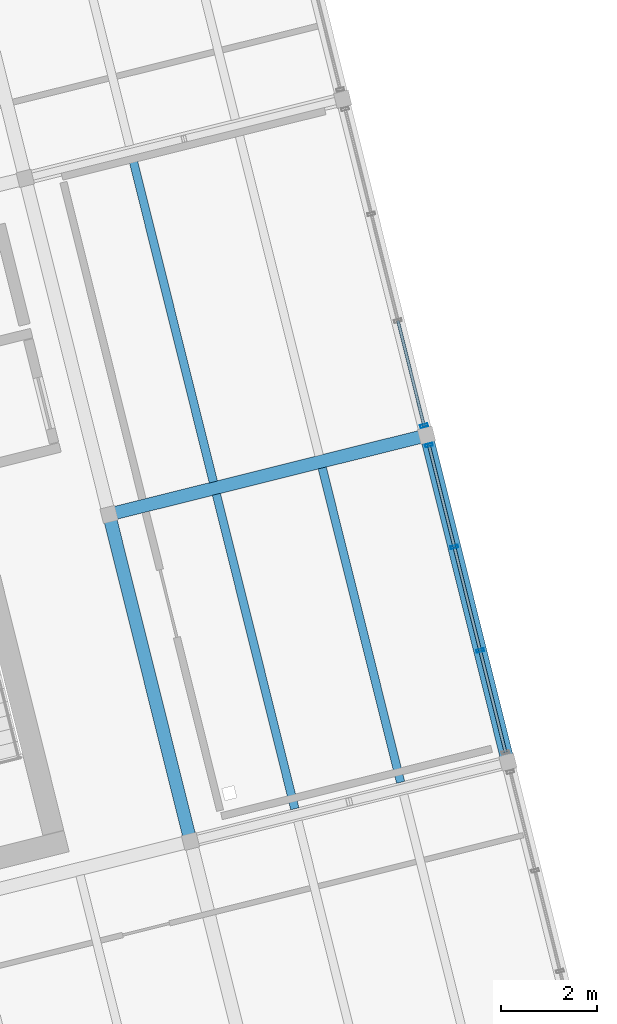
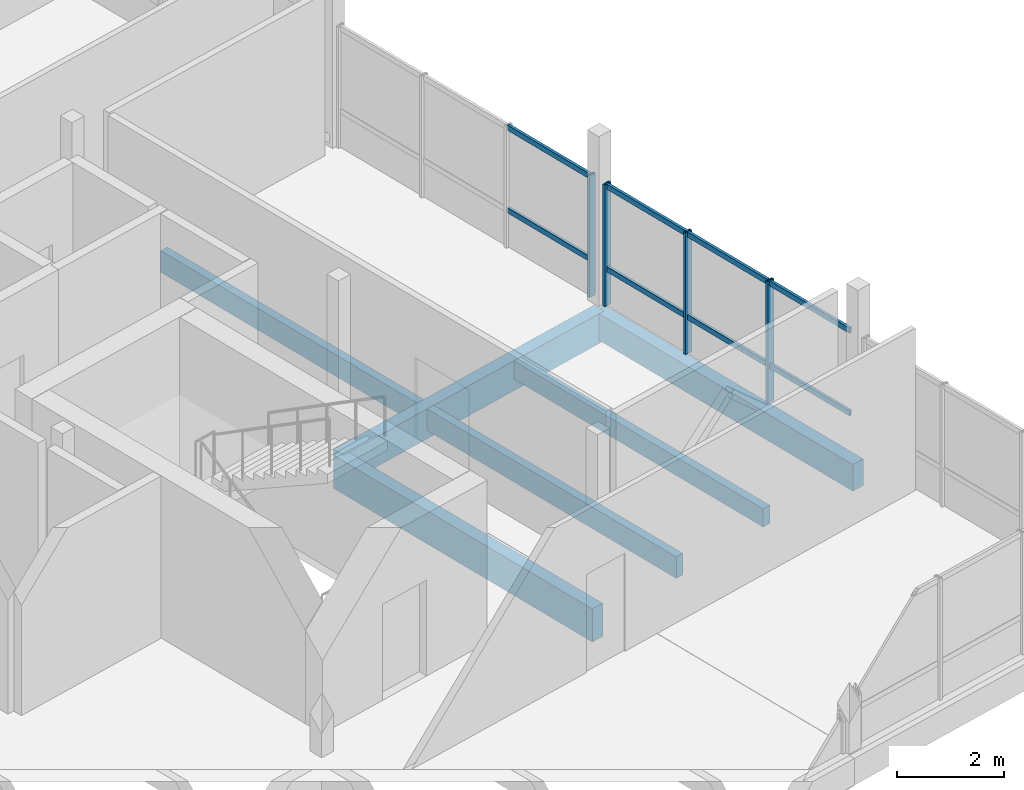
# One storey, part 17 of 25: 12 members, 6 beams, 2 elements without a shape of their own.
"""IFC4 building model written with IfcOpenShell, lengths in metres."""

from ifc_helpers import new_model, si_unit, direction, frame, origin, origin_2d, place, context, subcontext, project, spatial, rectangle, hollow_rectangle, extrude, material, layer, layer_set, material_profile, profile_set, type_object, element, aggregate, save


model = new_model("IFC4")

# Units and contexts
model_context = context("Model", 3, precision=1e-05, world=origin(), true_north=direction((0.0, 1.0)))
body_context = subcontext(model_context, "Body", "Model", "MODEL_VIEW")
ifc_project = project(units=[si_unit("LENGTHUNIT", "METRE"), si_unit("AREAUNIT", "SQUARE_METRE"), si_unit("VOLUMEUNIT", "CUBIC_METRE"), si_unit("PLANEANGLEUNIT", "RADIAN"), si_unit("MASSUNIT", "GRAM", prefix="KILO")], contexts=[model_context])

# Site, building, storey
site_placement = place(None, origin())
site = spatial("IfcSite", under=ifc_project, at=site_placement, CompositionType="ELEMENT")
building_placement = place(site_placement, origin())
building = spatial("IfcBuilding", under=site, at=building_placement, Name="Meriwether Solvik Hall", CompositionType="ELEMENT")
storey_placement = place(building_placement, frame((0.0, 0.0, 49.5)))
storey = spatial("IfcBuildingStorey", under=building, at=storey_placement, Name="L12", CompositionType="ELEMENT", Elevation=49.5)

# Beams
ifc_material_1 = material(Name="Glulam Douglas-Fir 24F-V8 GL28h", Category="wood")
ifc_material_profile_1 = material_profile(ifc_material_1, rectangle(XDim=0.27294921875, YDim=0.610107421875, at=origin_2d()), Name="GLB-273X610")
ifc_profile_set_1 = profile_set([ifc_material_profile_1], Name="Glulam Douglas-Fir 24F-V8 GL28h")
beam_type_1 = type_object("IfcBeamType", Name="BM-GL-273X610", PredefinedType="SPANDREL", material=ifc_profile_set_1)
beam_1_placement = place(storey_placement, frame((101.885498046875, 56.507080078125, -0.485107421875), z_axis=(-0.241903692719, 0.970300264582, 0.0), x_axis=(-0.970300264582, -0.241903692719, 0.0)))
element("IfcBeam", 1, at=beam_1_placement, inside=storey, type_object=beam_type_1, Name="Tower Girder T6:TB-TC (L12)", PredefinedType="SPANDREL", context=body_context, shape_type="SweptSolid", body=[
    extrude(rectangle(XDim=0.27294921875, YDim=0.610107421875, at=origin_2d()), origin(), (0.0, 0.0, 1.0), 7.000244140625),
])
ifc_material_2 = material(Name="Glulam Douglas-Fir 24F-V8 GL28h", Category="wood")
ifc_material_profile_2 = material_profile(ifc_material_2, rectangle(XDim=0.27294921875, YDim=0.68505859375, at=origin_2d()), Name="GLB-273X685")
ifc_profile_set_2 = profile_set([ifc_material_profile_2], Name="Glulam Douglas-Fir 24F-V8 GL28h")
beam_type_2 = type_object("IfcBeamType", Name="BM-GL-273X685", PredefinedType="BEAM", material=ifc_profile_set_2)
beam_2_placement = place(storey_placement, frame((93.593994140625, 61.654296875, -0.5224609375), z_axis=(0.970298579828, 0.24191045034, 0.0), x_axis=(-0.24191045034, 0.970298579828, 0.0)))
element("IfcBeam", 2, at=beam_2_placement, inside=storey, type_object=beam_type_2, Name="Tower Girder TC:T5-T6 (L12)", PredefinedType="BEAM", context=body_context, shape_type="SweptSolid", body=[
    extrude(rectangle(XDim=0.27294921875, YDim=0.68505859375, at=origin_2d()), origin(), (0.0, 0.0, 1.0), 6.800048828125),
])
ifc_material_3 = material(Name="Glulam Douglas-Fir 24F-V8 GL28h", Category="wood")
ifc_material_profile_3 = material_profile(ifc_material_3, rectangle(XDim=0.27294921875, YDim=0.760009765625, at=origin_2d()), Name="GLB-273X760")
ifc_profile_set_3 = profile_set([ifc_material_profile_3], Name="Glulam Douglas-Fir 24F-V8 GL28h")
beam_type_3 = type_object("IfcBeamType", Name="BM-GL-273X760", PredefinedType="BEAM", material=ifc_profile_set_3)
beam_3_placement = place(storey_placement, frame((95.28759765625, 54.862060546875, -0.56005859375), z_axis=(-0.241936527961, 0.970292077901, 0.0), x_axis=(-0.970292077901, -0.241936527961, 0.0)))
element("IfcBeam", 3, at=beam_3_placement, inside=storey, type_object=beam_type_3, Name="Tower Girder T5:TB-TC (L12)", PredefinedType="BEAM", context=body_context, shape_type="SweptSolid", body=[
    extrude(rectangle(XDim=0.27294921875, YDim=0.760009765625, at=origin_2d()), origin(), (0.0, 0.0, 1.0), 7.000244140625),
])

# Curtain wall, members
ifc_material_4 = material(Name="Thermally Broken Anodised Aluminium 6063-T6 and Low-E Glass", Category="aluminium")
ifc_layer_1 = layer(ifc_material_4, 0.179931640625)
ifc_layer_set_1 = layer_set([ifc_layer_1], Name="Thermally Broken Anodised Aluminium 6063-T6 and Low-E Glass")
curtain_wall_type_1 = type_object("IfcCurtainWallType", Name="CW-UNIT-E", PredefinedType="USERDEFINED", material=ifc_layer_set_1)
curtain_wall_1_placement = place(storey_placement, origin())
curtain_wall_1 = element("IfcCurtainWall", 4, at=curtain_wall_1_placement, inside=storey, type_object=curtain_wall_type_1, Name="Curtain Wall E1_B1 (L12)", ObjectType="UNITISED CURTAIN WALL", PredefinedType="USERDEFINED")
ifc_material_5 = material(Name="Anodised Aluminium 6063-T6", Category="aluminium")
ifc_material_profile_4 = material_profile(ifc_material_5, hollow_rectangle(XDim=0.06005859375, YDim=0.159912109375, WallThickness=0.00390625, at=origin_2d()), Name="CWM-60X160")
ifc_profile_set_4 = profile_set([ifc_material_profile_4], Name="Anodised Aluminium 6063-T6")
member_type_1 = type_object("IfcMemberType", Name="CW-MUL-60X160", PredefinedType="MULLION", material=ifc_profile_set_4)
member_1_placement = place(storey_placement, frame((100.242431640625, 63.097900390625, 0.0), z_axis=(0.0, 0.0, 1.0), x_axis=(0.241921784185, -0.970295754055, 0.0)))
member_1 = element("IfcMember", 5, at=member_1_placement, type_object=member_type_1, Name="Curtain Wall Mullion 1", PredefinedType="MULLION", context=body_context, shape_type="SweptSolid", body=[
    extrude(hollow_rectangle(XDim=0.06005859375, YDim=0.159912109375, WallThickness=0.00390625, at=origin_2d()), origin(), (0.0, 0.0, 1.0), 2.7900390625),
])
member_2_placement = place(storey_placement, frame((100.770263671875, 60.98046875, 0.0), z_axis=(0.0, 0.0, 1.0), x_axis=(0.241921784185, -0.970295754055, 0.0)))
member_2 = element("IfcMember", 6, at=member_2_placement, type_object=member_type_1, Name="Curtain Wall Mullion 2", PredefinedType="MULLION", context=body_context, shape_type="SweptSolid", body=[
    extrude(hollow_rectangle(XDim=0.06005859375, YDim=0.159912109375, WallThickness=0.00390625, at=origin_2d()), origin(), (0.0, 0.0, 1.0), 2.7900390625),
])
member_3_placement = place(storey_placement, frame((101.307373046875, 58.825927734375, 0.0), z_axis=(0.0, 0.0, 1.0), x_axis=(0.241921784185, -0.970295754055, 0.0)))
member_3 = element("IfcMember", 7, at=member_3_placement, type_object=member_type_1, Name="Curtain Wall Mullion 3", PredefinedType="MULLION", context=body_context, shape_type="SweptSolid", body=[
    extrude(hollow_rectangle(XDim=0.06005859375, YDim=0.159912109375, WallThickness=0.00390625, at=origin_2d()), origin(), (0.0, 0.0, 1.0), 2.7900390625),
])

# Curtain wall, member
ifc_material_6 = material(Name="Thermally Broken Anodised Aluminium 6063-T6 and Low-E Glass", Category="aluminium")
ifc_layer_2 = layer(ifc_material_6, 0.179931640625)
ifc_layer_set_2 = layer_set([ifc_layer_2], Name="Thermally Broken Anodised Aluminium 6063-T6 and Low-E Glass")
curtain_wall_type_2 = type_object("IfcCurtainWallType", Name="CW-UNIT-F", PredefinedType="USERDEFINED", material=ifc_layer_set_2)
curtain_wall_2_placement = place(storey_placement, origin())
curtain_wall_2 = element("IfcCurtainWall", 8, at=curtain_wall_2_placement, inside=storey, type_object=curtain_wall_type_2, Name="Curtain Wall E1_B2 (L12)", ObjectType="UNITISED CURTAIN WALL", PredefinedType="USERDEFINED")
member_4_placement = place(storey_placement, frame((100.141845703125, 63.50048828125, 0.0), z_axis=(0.0, 0.0, 1.0), x_axis=(0.241921877598, -0.970295730764, 0.0)))
member_4 = element("IfcMember", 9, at=member_4_placement, type_object=member_type_1, Name="Curtain Wall Mullion 4", PredefinedType="MULLION", context=body_context, shape_type="SweptSolid", body=[
    extrude(hollow_rectangle(XDim=0.06005859375, YDim=0.159912109375, WallThickness=0.00390625, at=origin_2d()), origin(), (0.0, 0.0, 1.0), 2.7900390625),
])

# Member
ifc_material_7 = material(Name="Anodised Aluminium 6063-T6", Category="aluminium")
ifc_material_profile_5 = material_profile(ifc_material_7, hollow_rectangle(XDim=0.06005859375, YDim=0.1201171875, WallThickness=0.00390625, at=origin_2d()), Name="CWT-60X120")
ifc_profile_set_5 = profile_set([ifc_material_profile_5], Name="Anodised Aluminium 6063-T6")
member_type_2 = type_object("IfcMemberType", Name="CW-TRN-60X120", PredefinedType="USERDEFINED", material=ifc_profile_set_5)
member_5_placement = place(storey_placement, frame((100.242431640625, 63.097900390625, 0.8369140625), z_axis=(0.241877470874, -0.970306801524, 0.0), x_axis=(0.970306801524, 0.241877470874, 0.0)))
member_5 = element("IfcMember", 10, at=member_5_placement, type_object=member_type_2, Name="Curtain Wall Transom 1-sill", ObjectType="TRANSOM", PredefinedType="USERDEFINED", context=body_context, shape_type="SweptSolid", body=[
    extrude(hollow_rectangle(XDim=0.06005859375, YDim=0.1201171875, WallThickness=0.00390625, at=origin_2d()), origin(), (0.0, 0.0, 1.0), 2.18212890625),
])

member_6_placement = place(storey_placement, frame((100.242431640625, 63.097900390625, 2.72998046875), z_axis=(0.241877470874, -0.970306801524, 0.0), x_axis=(0.970306801524, 0.241877470874, 0.0)))
member_6 = element("IfcMember", 11, at=member_6_placement, type_object=member_type_2, Name="Curtain Wall Transom 1-head", ObjectType="TRANSOM", PredefinedType="USERDEFINED", context=body_context, shape_type="SweptSolid", body=[
    extrude(hollow_rectangle(XDim=0.06005859375, YDim=0.1201171875, WallThickness=0.00390625, at=origin_2d()), origin(), (0.0, 0.0, 1.0), 2.18212890625),
])

member_7_placement = place(storey_placement, frame((100.770263671875, 60.98046875, 0.8369140625), z_axis=(0.241888809617, -0.970303974939, 0.0), x_axis=(0.970303974939, 0.241888809617, 0.0)))
member_7 = element("IfcMember", 12, at=member_7_placement, type_object=member_type_2, Name="Curtain Wall Transom 2-sill", ObjectType="TRANSOM", PredefinedType="USERDEFINED", context=body_context, shape_type="SweptSolid", body=[
    extrude(hollow_rectangle(XDim=0.06005859375, YDim=0.1201171875, WallThickness=0.00390625, at=origin_2d()), origin(), (0.0, 0.0, 1.0), 2.220458984375),
])

member_8_placement = place(storey_placement, frame((100.770263671875, 60.98046875, 2.72998046875), z_axis=(0.241888809617, -0.970303974939, 0.0), x_axis=(0.970303974939, 0.241888809617, 0.0)))
member_8 = element("IfcMember", 13, at=member_8_placement, type_object=member_type_2, Name="Curtain Wall Transom 2-head", ObjectType="TRANSOM", PredefinedType="USERDEFINED", context=body_context, shape_type="SweptSolid", body=[
    extrude(hollow_rectangle(XDim=0.06005859375, YDim=0.1201171875, WallThickness=0.00390625, at=origin_2d()), origin(), (0.0, 0.0, 1.0), 2.220458984375),
])

member_9_placement = place(storey_placement, frame((101.307373046875, 58.825927734375, 0.8369140625), z_axis=(0.241982798004, -0.970280539571, 0.0), x_axis=(0.970280539571, 0.241982798004, 0.0)))
member_9 = element("IfcMember", 14, at=member_9_placement, type_object=member_type_2, Name="Curtain Wall Transom 3-sill", ObjectType="TRANSOM", PredefinedType="USERDEFINED", context=body_context, shape_type="SweptSolid", body=[
    extrude(hollow_rectangle(XDim=0.06005859375, YDim=0.1201171875, WallThickness=0.00390625, at=origin_2d()), origin(), (0.0, 0.0, 1.0), 2.182373046875),
])

member_10_placement = place(storey_placement, frame((101.307373046875, 58.825927734375, 2.72998046875), z_axis=(0.241982798004, -0.970280539571, 0.0), x_axis=(0.970280539571, 0.241982798004, 0.0)))
member_10 = element("IfcMember", 15, at=member_10_placement, type_object=member_type_2, Name="Curtain Wall Transom 3-head", ObjectType="TRANSOM", PredefinedType="USERDEFINED", context=body_context, shape_type="SweptSolid", body=[
    extrude(hollow_rectangle(XDim=0.06005859375, YDim=0.1201171875, WallThickness=0.00390625, at=origin_2d()), origin(), (0.0, 0.0, 1.0), 2.182373046875),
])

aggregate(curtain_wall_1, [member_1, member_2, member_3, member_5, member_6, member_7, member_8, member_9, member_10])

member_11_placement = place(storey_placement, frame((99.597900390625, 65.682861328125, 0.8369140625), z_axis=(0.241845961802, -0.970314655542, 0.0), x_axis=(0.970314655542, 0.241845961802, 0.0)))
member_11 = element("IfcMember", 16, at=member_11_placement, type_object=member_type_2, Name="Curtain Wall Transom 3-sill", ObjectType="TRANSOM", PredefinedType="USERDEFINED", context=body_context, shape_type="SweptSolid", body=[
    extrude(hollow_rectangle(XDim=0.06005859375, YDim=0.1201171875, WallThickness=0.00390625, at=origin_2d()), origin(), (0.0, 0.0, 1.0), 2.2490234375),
])

member_12_placement = place(storey_placement, frame((99.597900390625, 65.682861328125, 2.72998046875), z_axis=(0.241845961802, -0.970314655542, 0.0), x_axis=(0.970314655542, 0.241845961802, 0.0)))
member_12 = element("IfcMember", 17, at=member_12_placement, type_object=member_type_2, Name="Curtain Wall Transom 3-head", ObjectType="TRANSOM", PredefinedType="USERDEFINED", context=body_context, shape_type="SweptSolid", body=[
    extrude(hollow_rectangle(XDim=0.06005859375, YDim=0.1201171875, WallThickness=0.00390625, at=origin_2d()), origin(), (0.0, 0.0, 1.0), 2.2490234375),
])

aggregate(curtain_wall_2, [member_4, member_11, member_12])

# Beams
ifc_material_8 = material(Name="Glulam Douglas-Fir 24F-V8 GL28h", Category="wood")
ifc_material_profile_6 = material_profile(ifc_material_8, rectangle(XDim=0.175048828125, YDim=0.419921875, at=origin_2d()), Name="GLJ-175X420")
ifc_profile_set_6 = profile_set([ifc_material_profile_6], Name="Glulam Douglas-Fir 24F-V8 GL28h")
beam_type_4 = type_object("IfcBeamType", Name="JST-GL-175X420", PredefinedType="JOIST", material=ifc_profile_set_6)
beam_4_placement = place(storey_placement, frame((99.654296875, 56.08642578125, -0.389892578125), z_axis=(-0.241896058636, 0.970302167789, 0.0), x_axis=(-0.970302167789, -0.241896058636, 0.0)))
element("IfcBeam", 18, at=beam_4_placement, inside=storey, type_object=beam_type_4, Name="Glulam Floor Joist T5/TB-J2 (L12)", PredefinedType="JOIST", context=body_context, shape_type="SweptSolid", body=[
    extrude(rectangle(XDim=0.175048828125, YDim=0.419921875, at=origin_2d()), origin(), (0.0, 0.0, 1.0), 6.73681640625),
])
ifc_material_9 = material(Name="Glulam Douglas-Fir 24F-V8 GL28h", Category="wood")
ifc_material_profile_7 = material_profile(ifc_material_9, rectangle(XDim=0.175048828125, YDim=0.4951171875, at=origin_2d()), Name="GLJ-175X495")
ifc_profile_set_7 = profile_set([ifc_material_profile_7], Name="Glulam Douglas-Fir 24F-V8 GL28h")
beam_type_5 = type_object("IfcBeamType", Name="JST-GL-175X495", PredefinedType="JOIST", material=ifc_profile_set_7)
beam_5_placement = place(storey_placement, frame((97.455078125, 55.5380859375, -0.427490234375), z_axis=(-0.241930176813, 0.9702936615, 0.0), x_axis=(-0.9702936615, -0.241930176813, 0.0)))
element("IfcBeam", 19, at=beam_5_placement, inside=storey, type_object=beam_type_5, Name="Glulam Floor Joist T5/TB-J1 (L12)", PredefinedType="JOIST", context=body_context, shape_type="SweptSolid", body=[
    extrude(rectangle(XDim=0.175048828125, YDim=0.4951171875, at=origin_2d()), origin(), (0.0, 0.0, 1.0), 6.737060546875),
])
beam_6_placement = place(storey_placement, frame((95.76171875, 62.330078125, -0.427490234375), z_axis=(-0.241922788949, 0.970295503539, 0.0), x_axis=(-0.970295503539, -0.241922788949, 0.0)))
element("IfcBeam", 20, at=beam_6_placement, inside=storey, type_object=beam_type_5, Name="Glulam Floor Joist T5/TC-J1 (L12)", PredefinedType="JOIST", context=body_context, shape_type="SweptSolid", body=[
    extrude(rectangle(XDim=0.175048828125, YDim=0.4951171875, at=origin_2d()), origin(), (0.0, 0.0, 1.0), 6.93701171875),
])

save(model, "model.ifc")
